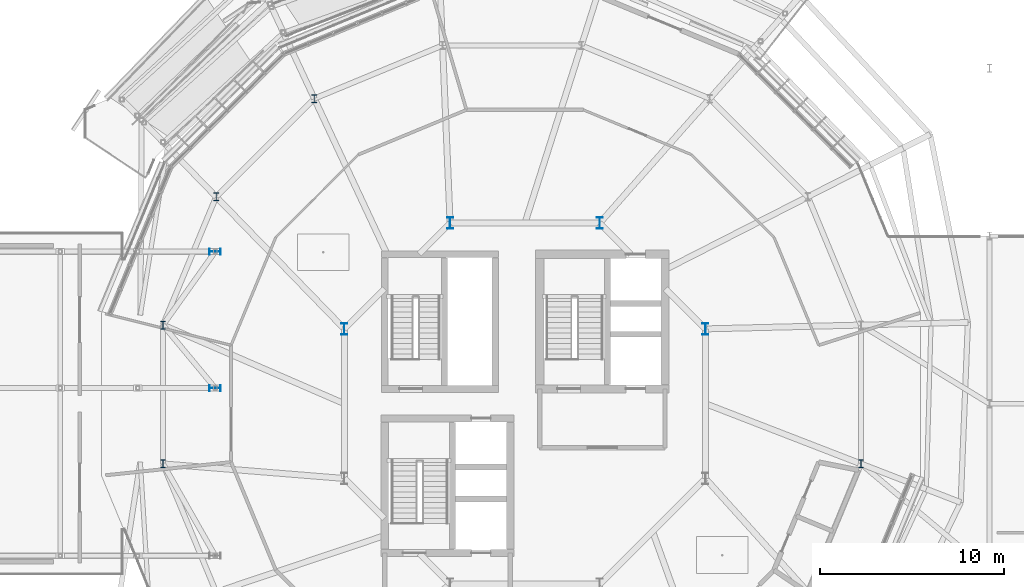
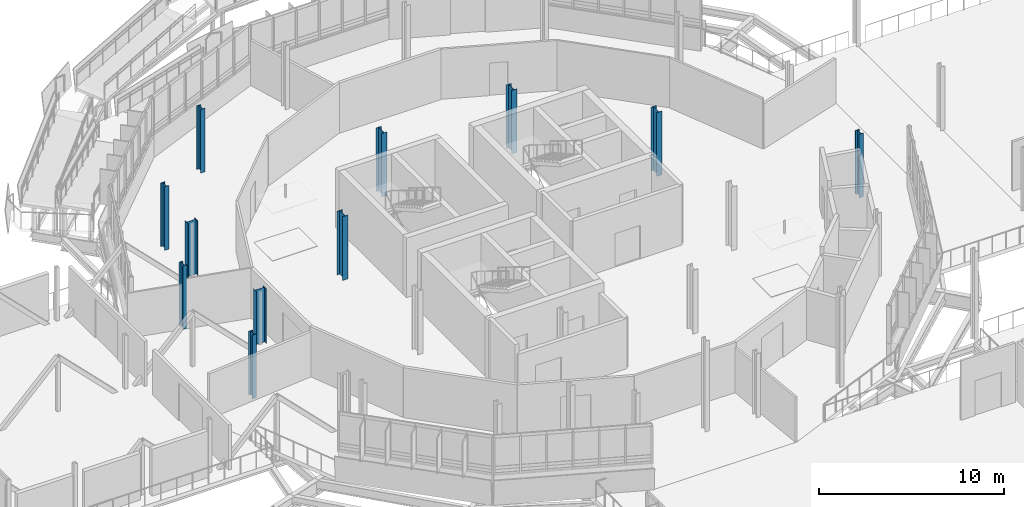
# One storey, part 5 of 107: 11 columns.
"""IFC4 building model written with IfcOpenShell, lengths in metres."""

from ifc_helpers import new_model, si_unit, derived_unit, direction, frame, origin, origin_2d, place, context, subcontext, project, spatial, i_section, extrude, material, material_profile, profile_set, type_object, element, save


model = new_model("IFC4")

# Units and contexts
model_context = context("Model", 3, precision=1e-05, world=origin(), true_north=direction((0.0, 1.0)))
body_context = subcontext(model_context, "Body", "Model", "MODEL_VIEW")
ifc_project = project(units=[si_unit("LENGTHUNIT", "METRE"), si_unit("AREAUNIT", "SQUARE_METRE"), si_unit("VOLUMEUNIT", "CUBIC_METRE"), si_unit("PLANEANGLEUNIT", "RADIAN"), si_unit("MASSUNIT", "GRAM", prefix="KILO"), derived_unit("THERMALTRANSMITTANCEUNIT", [(si_unit("MASSUNIT", "GRAM", prefix="KILO"), 1), (si_unit("TIMEUNIT", "SECOND"), -3), (si_unit("THERMODYNAMICTEMPERATUREUNIT", "KELVIN"), -1)])], contexts=[model_context])

# Site, building, storey
site_placement = place(None, origin())
site = spatial("IfcSite", under=ifc_project, at=site_placement, CompositionType="ELEMENT")
building_placement = place(site_placement, origin())
building = spatial("IfcBuilding", under=site, at=building_placement, Name="Makaiwela Harbour Ferry Terminal", CompositionType="ELEMENT")
storey_placement = place(building_placement, frame((0.0, 0.0, 9.60009765625)))
storey = spatial("IfcBuildingStorey", under=building, at=storey_placement, Name="L02", CompositionType="ELEMENT", Elevation=9.60009765625)

# Columns
ifc_material = material(Name="Steel ASTM A992 Grade 50", Category="steel")
ifc_material_profile_1 = material_profile(ifc_material, i_section(OverallWidth=0.264892578125, OverallDepth=0.430908203125, WebThickness=0.014892578125, FlangeThickness=0.02490234375, at=origin_2d()), Name="W16X100")
ifc_profile_set_1 = profile_set([ifc_material_profile_1], Name="Steel ASTM A992 Grade 50")
column_type_1 = type_object("IfcColumnType", Name="STR-COL-W16X100", PredefinedType="COLUMN", material=ifc_profile_set_1)
for number, where, z_axis, x_axis, name in (
    (1, (26.37744140625, 84.1474609375, 0.0), (0.0, 0.0, 1.0), (1.0, 0.0, 0.0), "Structural Column C-03"),
    (2, (21.052490234375, 78.822509765625, 0.0), (0.0, 0.0, 1.0), (1.0, 0.0, 0.0), "Structural Column C-03"),
    (3, (18.1708984375, 71.865234375, 0.0), (0.0, 0.0, 1.0), (1.0, 0.0, 0.0), "Structural Column C-03"),
    (4, (18.1708984375, 64.334716796875, 0.0), (0.0, 0.0, 1.0), (1.0, 0.0, 0.0), "Structural Column C-03"),
    (5, (56.029296875, 64.334716796875, 0.0), (0.0, 0.0, 1.0), (1.0, 0.0, 0.0), "Structural Column C-03"),
):
    element("IfcColumn", number, at=place(storey_placement, frame(where, z_axis=z_axis, x_axis=x_axis)), inside=storey, type_object=column_type_1, Name=name, PredefinedType="COLUMN", context=body_context, shape_type="SweptSolid", body=[
        extrude(i_section(OverallWidth=0.264892578125, OverallDepth=0.430908203125, WebThickness=0.014892578125, FlangeThickness=0.02490234375, at=origin_2d()), origin(), (0.0, 0.0, 1.0), 4.199951171875),
    ])
ifc_material_profile_2 = material_profile(ifc_material, i_section(OverallWidth=0.324951171875, OverallDepth=0.615966796875, WebThickness=0.013916015625, FlangeThickness=0.021484375, at=origin_2d()), Name="W24X117")
ifc_profile_set_2 = profile_set([ifc_material_profile_2], Name="Steel ASTM A992 Grade 50")
column_type_2 = type_object("IfcColumnType", Name="STR-COL-W24X117", PredefinedType="COLUMN", material=ifc_profile_set_2)
for number, where, z_axis, x_axis, name in (
    (6, (47.593017578125, 71.656494140625, 0.0), (0.0, 0.0, 1.0), (1.0, 0.0, 0.0), "Structural Column C-02"),
    (7, (41.8564453125, 77.39306640625, 0.0), (0.0, 0.0, 1.0), (1.0, 0.0, 0.0), "Structural Column C-02"),
    (8, (33.74365234375, 77.39306640625, 0.0), (0.0, 0.0, 1.0), (1.0, 0.0, 0.0), "Structural Column C-02"),
    (9, (28.0068359375, 71.656494140625, 0.0), (0.0, 0.0, 1.0), (1.0, 0.0, 0.0), "Structural Column C-02"),
):
    element("IfcColumn", number, at=place(storey_placement, frame(where, z_axis=z_axis, x_axis=x_axis)), inside=storey, type_object=column_type_2, Name=name, PredefinedType="COLUMN", context=body_context, shape_type="SweptSolid", body=[
        extrude(i_section(OverallWidth=0.324951171875, OverallDepth=0.615966796875, WebThickness=0.013916015625, FlangeThickness=0.021484375, at=origin_2d()), origin(), (0.0, 0.0, 1.0), 4.199951171875),
    ])
for number, where, z_axis, x_axis, name in (
    (10, (21.0, 68.449951171875, 0.0), (0.0, 0.0, 1.0), (0.0, 1.0, 0.0), "Structural Column C-02"),
    (11, (21.0, 75.85009765625, 0.0), (0.0, 0.0, 1.0), (0.0, 1.0, 0.0), "Structural Column C-02"),
):
    element("IfcColumn", number, at=place(storey_placement, frame(where, z_axis=z_axis, x_axis=x_axis)), inside=storey, type_object=column_type_2, Name=name, PredefinedType="COLUMN", context=body_context, shape_type="SweptSolid", body=[
        extrude(i_section(OverallWidth=0.324951171875, OverallDepth=0.615966796875, WebThickness=0.013916015625, FlangeThickness=0.021484375, at=origin_2d()), origin(), (0.0, 0.0, 1.0), 3.619873046875),
    ])

save(model, "model.ifc")
